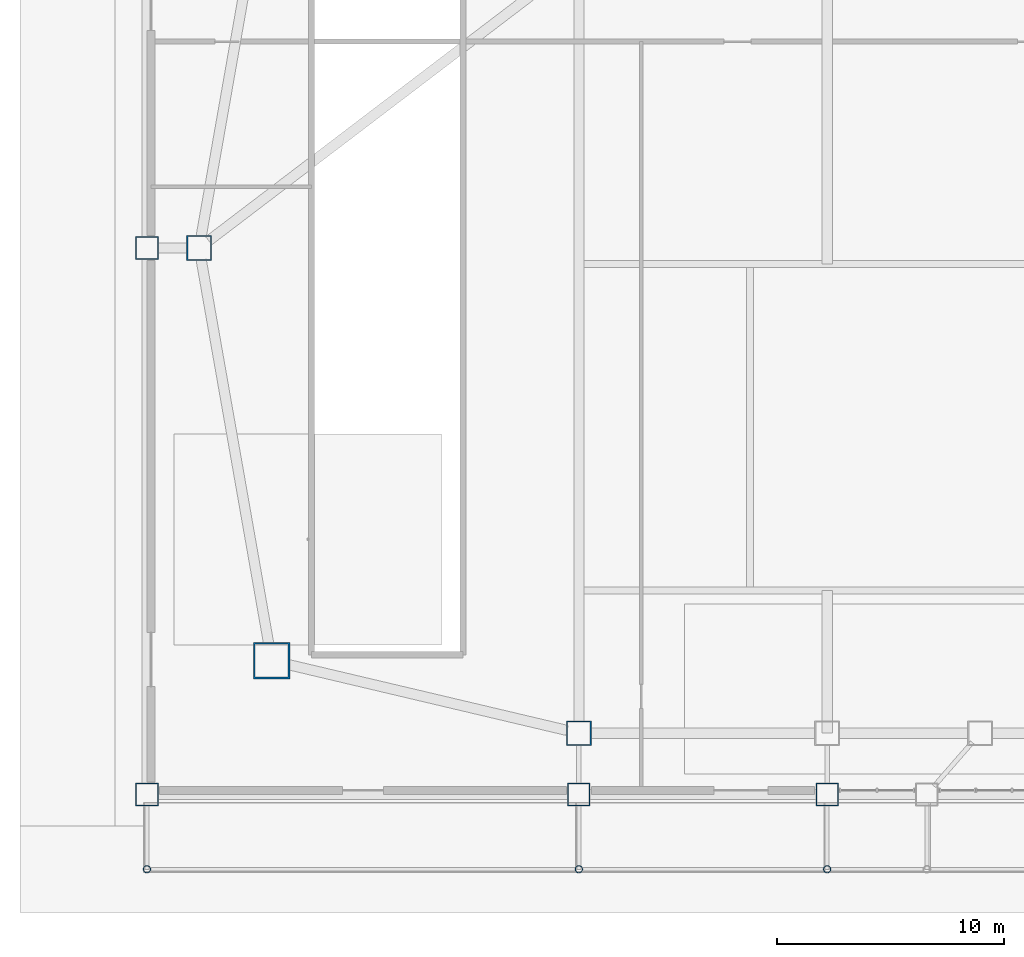
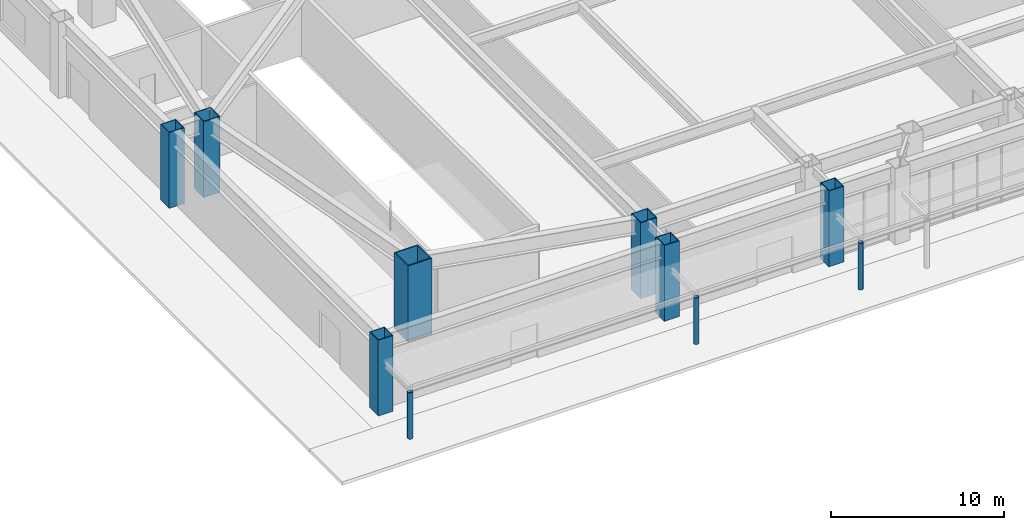
# One storey, part 1 of 18: 10 columns.
"""IFC4 building model written with IfcOpenShell, lengths in metres."""

from ifc_helpers import new_model, si_unit, direction, frame, origin, origin_2d, place, context, subcontext, project, spatial, hollow_rectangle, hollow_circle, extrude, source, transform, mapped, material, material_profile, profile_set, type_object, element, save


model = new_model("IFC4")

# Units and contexts
model_context = context("Model", 3, precision=1e-05, world=origin(), true_north=direction((0.0, 1.0)))
body_context = subcontext(model_context, "Body", "Model", "MODEL_VIEW")
ifc_project = project(units=[si_unit("LENGTHUNIT", "METRE"), si_unit("AREAUNIT", "SQUARE_METRE"), si_unit("VOLUMEUNIT", "CUBIC_METRE"), si_unit("PLANEANGLEUNIT", "RADIAN"), si_unit("MASSUNIT", "GRAM", prefix="KILO")], contexts=[model_context])

# Site, building, storey
site_placement = place(None, origin())
site = spatial("IfcSite", under=ifc_project, at=site_placement, CompositionType="ELEMENT")
building_placement = place(site_placement, origin())
building = spatial("IfcBuilding", under=site, at=building_placement, Name="Giltprow Tower", CompositionType="ELEMENT")
storey_placement = place(building_placement, origin())
storey = spatial("IfcBuildingStorey", under=building, at=storey_placement, Name="L01", CompositionType="ELEMENT", Elevation=0.0)

# Columns
ifc_material_1 = material(Name="Structural steel Q420GJC", Category="steel")
ifc_material_profile_1 = material_profile(ifc_material_1, hollow_rectangle(XDim=1.60009765625, YDim=1.60009765625, WallThickness=0.074951171875, at=origin_2d()), Name="BOX 1600x1600x75")
ifc_profile_set_1 = profile_set([ifc_material_profile_1], Name="Structural steel Q420GJC")
column_type_1 = type_object("IfcColumnType", Name="COL-BOX-1600x1600x75", PredefinedType="COLUMN", material=ifc_profile_set_1)
shared_shape_1 = source(origin(), body_context, "Body", "SweptSolid", [
    extrude(hollow_rectangle(XDim=1.60009765625, YDim=1.60009765625, WallThickness=0.074951171875, at=origin_2d()), origin(), (0.0, 0.0, 1.0), 5.340087890625),
])
column_placement = place(storey_placement, frame((6.300048828125, 6.5, 0.0), z_axis=(0.0, 0.0, 1.0), x_axis=(1.0, 0.0, 0.0)))
element("IfcColumn", 1, at=column_placement, inside=storey, type_object=column_type_1, Name="L01 Continuous Tower Column MC_SW", PredefinedType="COLUMN", context=body_context, shape_type="MappedRepresentation", body=[
    mapped(shared_shape_1, transform((0.0, 0.0, 0.0), x_axis=(1.0, 0.0, 0.0), y_axis=(0.0, 1.0, 0.0), z_axis=(0.0, 0.0, 1.0), scale=1.0)),
])
ifc_material_profile_2 = material_profile(ifc_material_1, hollow_rectangle(XDim=1.10009765625, YDim=1.10009765625, WallThickness=0.050048828125, at=origin_2d()), Name="BOX 1100x1100x50")
ifc_profile_set_2 = profile_set([ifc_material_profile_2], Name="Structural steel Q420GJC")
column_type_2 = type_object("IfcColumnType", Name="COL-BOX-1100x1100x50", PredefinedType="COLUMN", material=ifc_profile_set_2)
shared_shape_2 = source(origin(), body_context, "Body", "SweptSolid", [
    extrude(hollow_rectangle(XDim=1.10009765625, YDim=1.10009765625, WallThickness=0.050048828125, at=origin_2d()), origin(), (0.0, 0.0, 1.0), 5.340087890625),
])
for number, where, z_axis, x_axis, name in (
    (2, (19.85009765625, 3.300048828125, 0.0), (0.0, 0.0, 1.0), (1.0, 0.0, 0.0), "L01 Continuous Tower Column S1"),
    (3, (3.10009765625, 24.699951171875, 0.0), (0.0, 0.0, 1.0), (1.0, 0.0, 0.0), "L01 Continuous Tower Column W_MID"),
):
    element("IfcColumn", number, at=place(storey_placement, frame(where, z_axis=z_axis, x_axis=x_axis)), inside=storey, type_object=column_type_2, Name=name, PredefinedType="COLUMN", context=body_context, shape_type="MappedRepresentation", body=[
        mapped(shared_shape_2, transform((0.0, 0.0, 0.0), x_axis=(1.0, 0.0, 0.0), y_axis=(0.0, 1.0, 0.0), z_axis=(0.0, 0.0, 1.0), scale=1.0)),
    ])
ifc_material_profile_3 = material_profile(ifc_material_1, hollow_rectangle(XDim=1.0, YDim=1.0, WallThickness=0.044921875, at=origin_2d()), Name="BOX 1000x1000x45")
ifc_profile_set_3 = profile_set([ifc_material_profile_3], Name="Structural steel Q420GJC")
column_type_3 = type_object("IfcColumnType", Name="COL-BOX-1000x1000x45", PredefinedType="COLUMN", material=ifc_profile_set_3)
shared_shape_3 = source(origin(), body_context, "Body", "SweptSolid", [
    extrude(hollow_rectangle(XDim=1.0, YDim=1.0, WallThickness=0.044921875, at=origin_2d()), origin(), (0.0, 0.0, 1.0), 5.340087890625),
])
for number, where, z_axis, x_axis, name in (
    (4, (0.800048828125, 0.60009765625, 0.0), (0.0, 0.0, 1.0), (1.0, 0.0, 0.0), "L01 Podium Column (0.8,0.6)"),
    (5, (19.85009765625, 0.60009765625, 0.0), (0.0, 0.0, 1.0), (1.0, 0.0, 0.0), "L01 Podium Column (19.9,0.6)"),
    (6, (30.800048828125, 0.60009765625, 0.0), (0.0, 0.0, 1.0), (1.0, 0.0, 0.0), "L01 Podium Column (30.8,0.6)"),
    (7, (0.800048828125, 24.699951171875, 0.0), (0.0, 0.0, 1.0), (1.0, 0.0, 0.0), "L01 Podium Column (0.8,24.7)"),
):
    element("IfcColumn", number, at=place(storey_placement, frame(where, z_axis=z_axis, x_axis=x_axis)), inside=storey, type_object=column_type_3, Name=name, PredefinedType="COLUMN", context=body_context, shape_type="MappedRepresentation", body=[
        mapped(shared_shape_3, transform((0.0, 0.0, 0.0), x_axis=(1.0, 0.0, 0.0), y_axis=(0.0, 1.0, 0.0), z_axis=(0.0, 0.0, 1.0), scale=1.0)),
    ])
ifc_material_2 = material(Name="Structural steel Q355B", Category="steel")
ifc_material_profile_4 = material_profile(ifc_material_2, hollow_circle(Radius=0.16259765625, WallThickness=0.01611328125, at=origin_2d()), Name="CHS 325x16")
ifc_profile_set_4 = profile_set([ifc_material_profile_4], Name="Structural steel Q355B")
column_type_4 = type_object("IfcColumnType", Name="COL-CANOPY-POST", PredefinedType="COLUMN", material=ifc_profile_set_4)
shared_shape_4 = source(origin(), body_context, "Body", "SweptSolid", [
    extrude(hollow_circle(Radius=0.16259765625, WallThickness=0.01611328125, at=origin_2d()), origin(), (0.0, 0.0, 1.0), 3.27001953125),
])
for number, where, z_axis, x_axis, name in (
    (8, (0.800048828125, -2.699951171875, 0.0), (0.0, 0.0, 1.0), (1.0, 0.0, 0.0), "Promenade Canopy Front Column 1"),
    (9, (19.85009765625, -2.699951171875, 0.0), (0.0, 0.0, 1.0), (1.0, 0.0, 0.0), "Promenade Canopy Front Column 2"),
    (10, (30.800048828125, -2.699951171875, 0.0), (0.0, 0.0, 1.0), (1.0, 0.0, 0.0), "Promenade Canopy Front Column 3"),
):
    element("IfcColumn", number, at=place(storey_placement, frame(where, z_axis=z_axis, x_axis=x_axis)), inside=storey, type_object=column_type_4, Name=name, PredefinedType="COLUMN", context=body_context, shape_type="MappedRepresentation", body=[
        mapped(shared_shape_4, transform((0.0, 0.0, 0.0), x_axis=(1.0, 0.0, 0.0), y_axis=(0.0, 1.0, 0.0), z_axis=(0.0, 0.0, 1.0), scale=1.0)),
    ])

save(model, "model.ifc")
